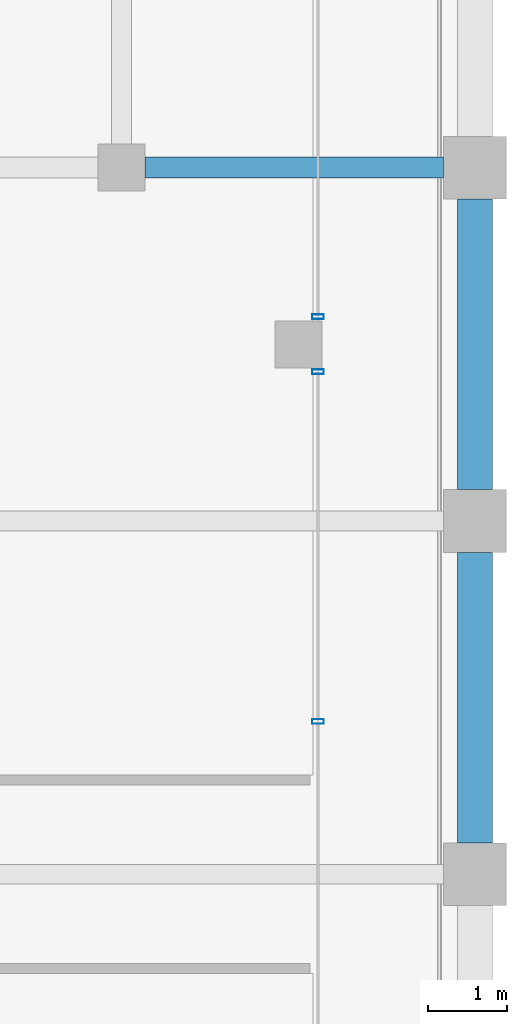
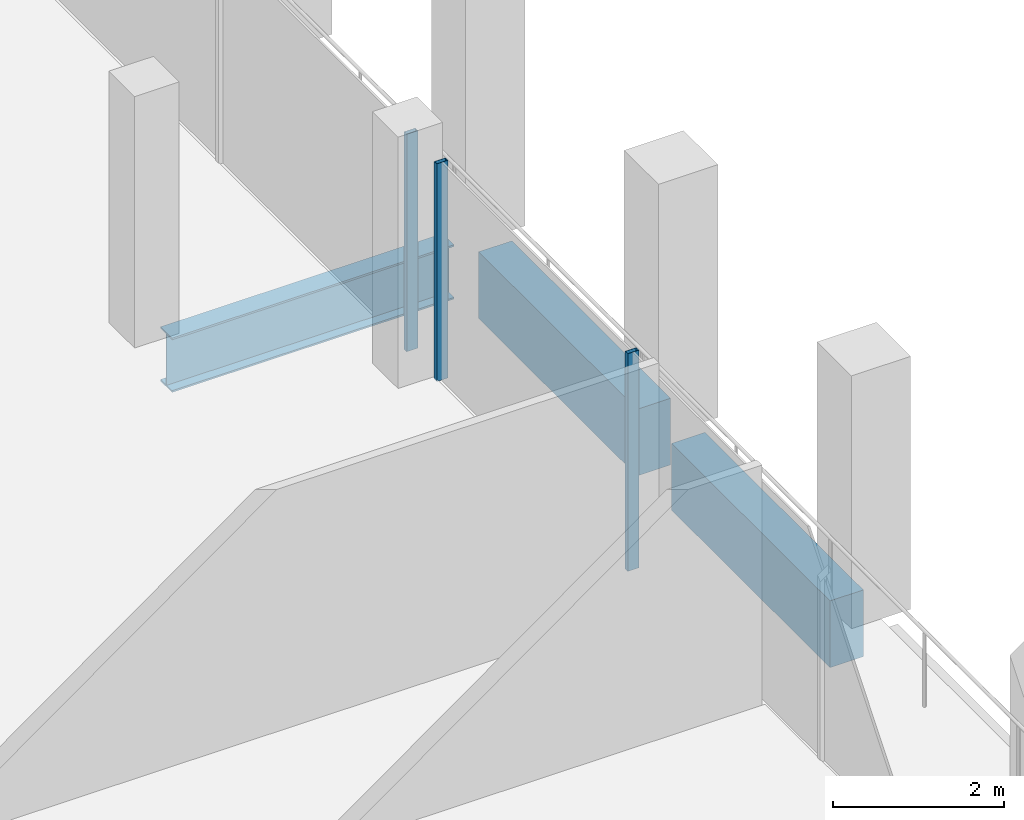
# One storey, part 19 of 30: 3 beams, 3 members, 2 elements without a shape of their own.
"""IFC4 building model written with IfcOpenShell, lengths in metres."""

from ifc_helpers import new_model, si_unit, direction, frame, origin, origin_2d, place, context, subcontext, project, spatial, rectangle, hollow_rectangle, i_section, extrude, material, material_profile, profile_set, type_object, element, aggregate, save


model = new_model("IFC4")

# Units and contexts
model_context = context("Model", 3, precision=1e-05, world=origin(), true_north=direction((0.0, 1.0)))
body_context = subcontext(model_context, "Body", "Model", "MODEL_VIEW")
ifc_project = project(units=[si_unit("LENGTHUNIT", "METRE"), si_unit("AREAUNIT", "SQUARE_METRE"), si_unit("VOLUMEUNIT", "CUBIC_METRE"), si_unit("PLANEANGLEUNIT", "RADIAN"), si_unit("MASSUNIT", "GRAM", prefix="KILO")], contexts=[model_context])

# Site, building, storey
site_placement = place(None, origin())
site = spatial("IfcSite", under=ifc_project, at=site_placement, CompositionType="ELEMENT")
building_placement = place(site_placement, origin())
building = spatial("IfcBuilding", under=site, at=building_placement, Name="Altepetl Exchange Towers", CompositionType="ELEMENT")
storey_placement = place(building_placement, frame((0.0, 0.0, 217.199951171875)))
storey = spatial("IfcBuildingStorey", under=building, at=storey_placement, Name="L55", CompositionType="ELEMENT", Elevation=217.199951171875)

# Beam
ifc_material_1 = material(Name="Steel S355", Category="steel")
ifc_material_profile_1 = material_profile(ifc_material_1, i_section(OverallWidth=0.26806640625, OverallDepth=0.77392578125, WebThickness=0.015380859375, FlangeThickness=0.025390625, at=origin_2d()), Name="W30X132")
ifc_profile_set_1 = profile_set([ifc_material_profile_1], Name="Steel S355")
beam_type_1 = type_object("IfcBeamType", Name="Girder W30X132", PredefinedType="BEAM", material=ifc_profile_set_1)
beam_placement = place(storey_placement, frame((67.800048828125, 58.5, -0.536865234375), z_axis=(1.0, 0.0, 0.0), x_axis=(0.0, 1.0, 0.0)))
element("IfcBeam", 1, at=beam_placement, inside=storey, type_object=beam_type_1, Name="gd:A:L55:002", PredefinedType="BEAM", context=body_context, shape_type="SweptSolid", body=[
    extrude(i_section(OverallWidth=0.26806640625, OverallDepth=0.77392578125, WebThickness=0.015380859375, FlangeThickness=0.025390625, at=origin_2d()), origin(), (0.0, 0.0, 1.0), 3.800048828125),
])

# Curtain wall, members
ifc_material_2 = material(Name="Aluminium 6063-T6 glazing", Category="aluminium")
curtain_wall_type = type_object("IfcCurtainWallType", Name="Loggia glazing system", PredefinedType="NOTDEFINED", material=ifc_material_2)
curtain_wall_1_placement = place(storey_placement, origin())
curtain_wall_1 = element("IfcCurtainWall", 2, at=curtain_wall_1_placement, inside=storey, type_object=curtain_wall_type, Name="CW1 run", PredefinedType="NOTDEFINED")
ifc_material_3 = material(Name="Aluminium 6063-T6", Category="aluminium")
ifc_material_profile_2 = material_profile(ifc_material_3, hollow_rectangle(XDim=0.06005859375, YDim=0.14990234375, WallThickness=0.0029296875, at=origin_2d()), Name="Mullion 60x150 aluminium")
ifc_profile_set_2 = profile_set([ifc_material_profile_2], Name="Aluminium 6063-T6")
member_type = type_object("IfcMemberType", Name="Mullion 60x150 aluminium", PredefinedType="MULLION", material=ifc_profile_set_2)
member_1_placement = place(storey_placement, frame((70.0, 51.444091796875, 0.0), z_axis=(0.0, 0.0, 1.0), x_axis=(0.0, 1.0, 0.0)))
member_1 = element("IfcMember", 3, at=member_1_placement, type_object=member_type, Name="MU1 mullion", PredefinedType="MULLION", context=body_context, shape_type="SweptSolid", body=[
    extrude(hollow_rectangle(XDim=0.06005859375, YDim=0.14990234375, WallThickness=0.0029296875, at=origin_2d()), origin(), (0.0, 0.0, 1.0), 3.10009765625),
])
member_2_placement = place(storey_placement, frame((70.0, 55.89990234375, 0.0), z_axis=(0.0, 0.0, 1.0), x_axis=(0.0, 1.0, 0.0)))
member_2 = element("IfcMember", 4, at=member_2_placement, type_object=member_type, Name="MU1 mullion", PredefinedType="MULLION", context=body_context, shape_type="SweptSolid", body=[
    extrude(hollow_rectangle(XDim=0.06005859375, YDim=0.14990234375, WallThickness=0.0029296875, at=origin_2d()), origin(), (0.0, 0.0, 1.0), 3.10009765625),
])
aggregate(curtain_wall_1, [member_1, member_2])

# Curtain wall, member
curtain_wall_2_placement = place(storey_placement, origin())
curtain_wall_2 = element("IfcCurtainWall", 5, at=curtain_wall_2_placement, inside=storey, type_object=curtain_wall_type, Name="CW1 run", PredefinedType="NOTDEFINED")
member_3_placement = place(storey_placement, frame((70.0, 56.60009765625, 0.0), z_axis=(0.0, 0.0, 1.0), x_axis=(0.0, 1.0, 0.0)))
member_3 = element("IfcMember", 6, at=member_3_placement, type_object=member_type, Name="MU1 mullion", PredefinedType="MULLION", context=body_context, shape_type="SweptSolid", body=[
    extrude(hollow_rectangle(XDim=0.06005859375, YDim=0.14990234375, WallThickness=0.0029296875, at=origin_2d()), origin(), (0.0, 0.0, 1.0), 3.10009765625),
])
aggregate(curtain_wall_2, [member_3])

# Beams
ifc_material_4 = material(Name="Concrete C50/60 precast with cantera amarilla facing", Category="concrete")
ifc_material_profile_3 = material_profile(ifc_material_4, rectangle(XDim=0.449951171875, YDim=0.949951171875, at=origin_2d()), Name="450 x 950")
ifc_profile_set_3 = profile_set([ifc_material_profile_3], Name="Concrete C50/60 precast with cantera amarilla facing")
beam_type_2 = type_object("IfcBeamType", Name="Spandrel beam 450x950 cantera amarilla", PredefinedType="SPANDREL", material=ifc_profile_set_3)
for number, where, z_axis, x_axis, name in (
    (7, (72.0, 49.89990234375, -0.625), (0.0, 1.0, 0.0), (-1.0, 0.0, 0.0), "sp:A:L55:016"),
    (8, (72.0, 54.39990234375, -0.625), (0.0, 1.0, 0.0), (-1.0, 0.0, 0.0), "sp:A:L55:017"),
):
    element("IfcBeam", number, at=place(storey_placement, frame(where, z_axis=z_axis, x_axis=x_axis)), inside=storey, type_object=beam_type_2, Name=name, PredefinedType="SPANDREL", context=body_context, shape_type="SweptSolid", body=[
        extrude(rectangle(XDim=0.449951171875, YDim=0.949951171875, at=origin_2d()), origin(), (0.0, 0.0, 1.0), 3.7001953125),
    ])

save(model, "model.ifc")
